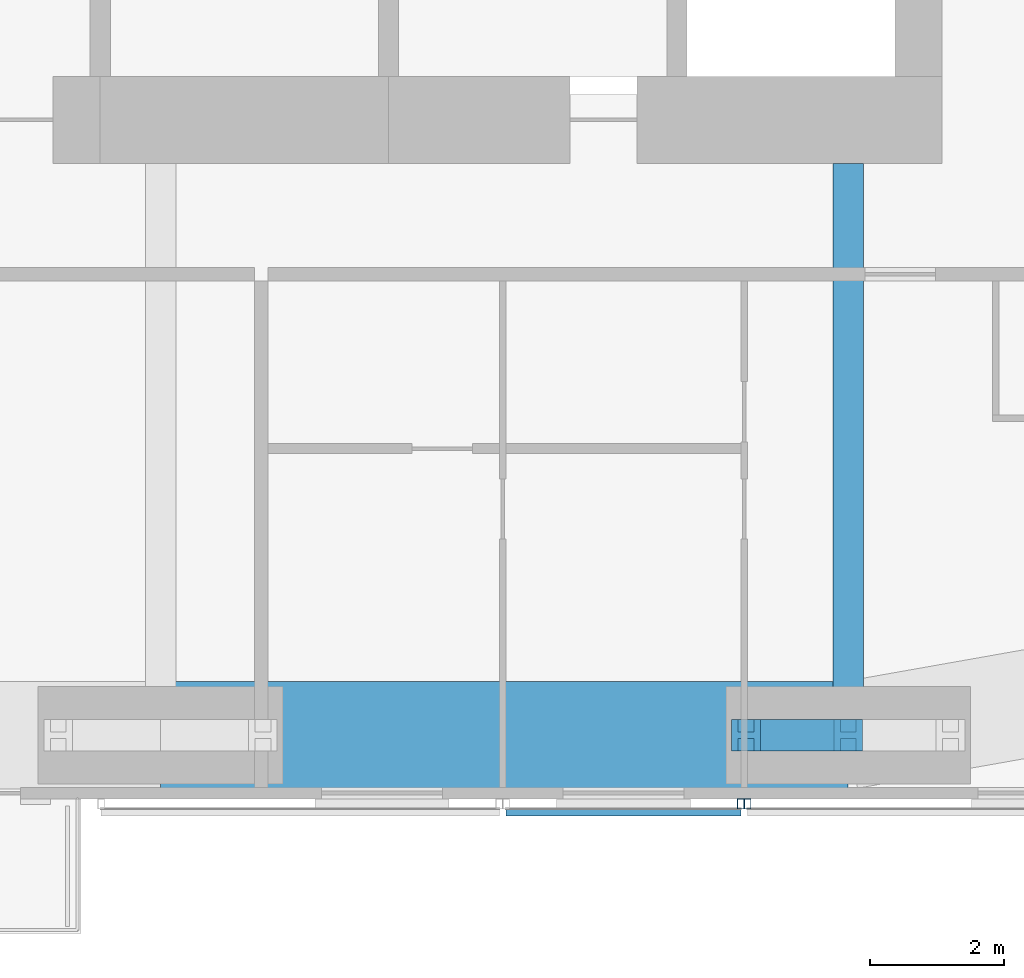
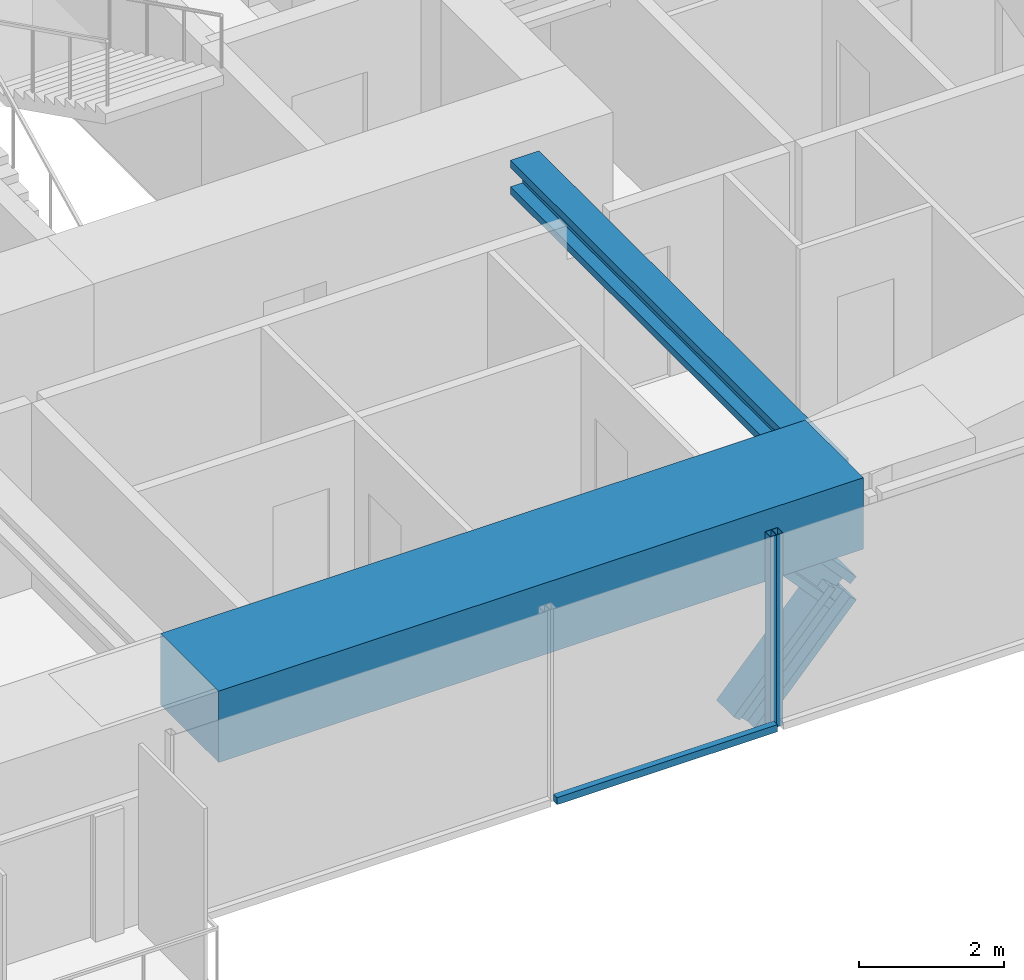
# One storey, part 5 of 23: 5 members, 2 beams, 2 elements without a shape of their own.
"""IFC4 building model written with IfcOpenShell, lengths in metres."""

from ifc_helpers import new_model, si_unit, direction, frame, origin, origin_2d, place, context, subcontext, project, spatial, rectangle, hollow_rectangle, i_section, extrude, material, material_profile, profile_set, type_object, element, aggregate, save


model = new_model("IFC4")

# Units and contexts
model_context = context("Model", 3, precision=1e-05, world=origin(), true_north=direction((0.0, 1.0)))
body_context = subcontext(model_context, "Body", "Model", "MODEL_VIEW")
ifc_project = project(units=[si_unit("LENGTHUNIT", "METRE"), si_unit("AREAUNIT", "SQUARE_METRE"), si_unit("VOLUMEUNIT", "CUBIC_METRE"), si_unit("PLANEANGLEUNIT", "RADIAN"), si_unit("MASSUNIT", "GRAM", prefix="KILO")], contexts=[model_context])

# Site, building, storey
site_placement = place(None, origin())
site = spatial("IfcSite", under=ifc_project, at=site_placement, CompositionType="ELEMENT")
building_placement = place(site_placement, origin())
building = spatial("IfcBuilding", under=site, at=building_placement, Name="Jalousie Tower", CompositionType="ELEMENT")
storey_placement = place(building_placement, frame((0.0, 0.0, 191.199951171875)))
storey = spatial("IfcBuildingStorey", under=building, at=storey_placement, Name="L52", CompositionType="ELEMENT", Elevation=191.199951171875)

# Beam
ifc_material_1 = material(Name="Steel ASTM A992 Grade 50", Category="steel")
ifc_material_profile_1 = material_profile(ifc_material_1, i_section(OverallWidth=0.45458984375, OverallDepth=0.569091796875, WebThickness=0.077880859375, FlangeThickness=0.124755859375, at=origin_2d()), Name="W14X730")
ifc_profile_set_1 = profile_set([ifc_material_profile_1], Name="Steel ASTM A992 Grade 50")
beam_type_1 = type_object("IfcBeamType", Name="LEAN COLLECTOR W14X730", PredefinedType="BEAM", material=ifc_profile_set_1)
beam_1_placement = place(storey_placement, frame((42.75, 0.949951171875, 2.825439453125), z_axis=(0.0, 1.0, 0.0), x_axis=(-1.0, 0.0, 0.0)))
element("IfcBeam", 1, at=beam_1_placement, inside=storey, type_object=beam_type_1, Name="Lean collector under L53", PredefinedType="BEAM", context=body_context, shape_type="SweptSolid", body=[
    extrude(i_section(OverallWidth=0.45458984375, OverallDepth=0.569091796875, WebThickness=0.077880859375, FlangeThickness=0.124755859375, at=origin_2d()), origin(), (0.0, 0.0, 1.0), 8.525146484375),
])

# Members
ifc_material_2 = material(Name="Steel ASTM A992 Grade 50", Category="steel")
ifc_material_profile_2 = material_profile(ifc_material_2, i_section(OverallWidth=0.472412109375, OverallDepth=0.5791015625, WebThickness=0.094970703125, FlangeThickness=0.1298828125, at=origin_2d()), Name="W14X808")
ifc_profile_set_2 = profile_set([ifc_material_profile_2], Name="Steel ASTM A992 Grade 50")
member_type_1 = type_object("IfcMemberType", Name="PERIMETER BRACE W14X808", PredefinedType="BRACE", material=ifc_profile_set_2)
for number, where, z_axis, x_axis, name in (
    (2, (41.22509765625, 0.949951171875, -0.599853515625), (0.673241284601, 0.0, 0.739422864611), (0.0, 1.0, 0.0), "Perimeter brace 04 L52 part 1"),
    (3, (42.75, 0.949951171875, 1.074951171875), (-0.673187629365, 0.0, 0.739471713908), (0.0, -1.0, 0.0), "Perimeter brace 04 L52 part 4"),
):
    element("IfcMember", number, at=place(storey_placement, frame(where, z_axis=z_axis, x_axis=x_axis)), inside=storey, type_object=member_type_1, Name=name, PredefinedType="BRACE", context=body_context, shape_type="SweptSolid", body=[
        extrude(i_section(OverallWidth=0.472412109375, OverallDepth=0.5791015625, WebThickness=0.094970703125, FlangeThickness=0.1298828125, at=origin_2d()), origin(), (0.0, 0.0, 1.0), 2.26513671875),
    ])

# Beam
ifc_material_3 = material(Name="Concrete f'c 40 MPa", Category="concrete")
ifc_material_profile_3 = material_profile(ifc_material_3, rectangle(XDim=1.60009765625, YDim=1.199951171875, at=origin_2d()), Name="RC 1600x1200")
ifc_profile_set_3 = profile_set([ifc_material_profile_3], Name="Concrete f'c 40 MPa")
beam_type_2 = type_object("IfcBeamType", Name="RC BEAM 1600x1200", PredefinedType="BEAM", material=ifc_profile_set_3)
beam_2_placement = place(storey_placement, frame((32.5, 0.949951171875, 2.75), z_axis=(1.0, 0.0, 0.0), x_axis=(0.0, 1.0, 0.0)))
element("IfcBeam", 4, at=beam_2_placement, inside=storey, type_object=beam_type_2, Name="Edge band beam 03-04 under L53", PredefinedType="BEAM", context=body_context, shape_type="SweptSolid", body=[
    extrude(rectangle(XDim=1.60009765625, YDim=1.199951171875, at=origin_2d()), origin(), (0.0, 0.0, 1.0), 10.25),
])

# Curtain wall, member
ifc_material_4 = material(Name="Perforated aluminium sheet", Category="aluminium")
curtain_wall_type = type_object("IfcCurtainWallType", Name="SOLAR SCREEN SS-1", PredefinedType="USERDEFINED", material=ifc_material_4)
curtain_wall_1_placement = place(storey_placement, origin())
curtain_wall_1 = element("IfcCurtainWall", 5, at=curtain_wall_1_placement, inside=storey, type_object=curtain_wall_type, Name="Solar screen L52", ObjectType="SOLAR SCREEN SS-1", PredefinedType="USERDEFINED")
ifc_material_5 = material(Name="Steel ASTM A500 Grade C", Category="steel")
ifc_material_profile_4 = material_profile(ifc_material_5, hollow_rectangle(XDim=0.1015625, YDim=0.15234375, WallThickness=0.00634765625, at=origin_2d()), Name="HSS6X4X1/4")
ifc_profile_set_4 = profile_set([ifc_material_profile_4], Name="Steel ASTM A500 Grade C")
member_type_2 = type_object("IfcMemberType", Name="SOLAR SCREEN SS-1 MULLION", PredefinedType="MULLION", material=ifc_profile_set_4)
member_1_placement = place(storey_placement, frame((41.14990234375, -0.0712890625, -0.119873046875), z_axis=(0.0, 0.0, 1.0), x_axis=(1.0, 0.0, 0.0)))
member_1 = element("IfcMember", 6, at=member_1_placement, type_object=member_type_2, Name="SS1 post 2", PredefinedType="MULLION", context=body_context, shape_type="SweptSolid", body=[
    extrude(hollow_rectangle(XDim=0.1015625, YDim=0.15234375, WallThickness=0.00634765625, at=origin_2d()), origin(), (0.0, 0.0, 1.0), 3.22998046875),
])

curtain_wall_2_placement = place(storey_placement, origin())
curtain_wall_2 = element("IfcCurtainWall", 7, at=curtain_wall_2_placement, inside=storey, type_object=curtain_wall_type, Name="Solar screen L52", ObjectType="SOLAR SCREEN SS-1", PredefinedType="USERDEFINED")
member_2_placement = place(storey_placement, frame((41.25, -0.0712890625, -0.119873046875), z_axis=(0.0, 0.0, 1.0), x_axis=(1.0, 0.0, 0.0)))
member_2 = element("IfcMember", 8, at=member_2_placement, type_object=member_type_2, Name="SS1 post 1", PredefinedType="MULLION", context=body_context, shape_type="SweptSolid", body=[
    extrude(hollow_rectangle(XDim=0.1015625, YDim=0.15234375, WallThickness=0.00634765625, at=origin_2d()), origin(), (0.0, 0.0, 1.0), 3.22998046875),
])
aggregate(curtain_wall_2, [member_2])

# Member
ifc_material_6 = material(Name="Extruded aluminium screen rail", Category="aluminium")
ifc_material_profile_5 = material_profile(ifc_material_6, rectangle(XDim=0.1015625, YDim=0.1201171875, at=origin_2d()), Name="RAIL 102x120")
ifc_profile_set_5 = profile_set([ifc_material_profile_5], Name="Extruded aluminium screen rail")
member_type_3 = type_object("IfcMemberType", Name="SOLAR SCREEN SS-1 TRANSOM", PredefinedType="USERDEFINED", material=ifc_profile_set_5)
member_3_placement = place(storey_placement, frame((37.64990234375, -0.1982421875, -0.06005859375), z_axis=(1.0, 0.0, 0.0), x_axis=(0.0, 1.0, 0.0)))
member_3 = element("IfcMember", 9, at=member_3_placement, type_object=member_type_3, Name="SS1 rail", ObjectType="TRANSOM", PredefinedType="USERDEFINED", context=body_context, shape_type="SweptSolid", body=[
    extrude(rectangle(XDim=0.1015625, YDim=0.1201171875, at=origin_2d()), origin(), (0.0, 0.0, 1.0), 3.5),
])

aggregate(curtain_wall_1, [member_1, member_3])

save(model, "model.ifc")
